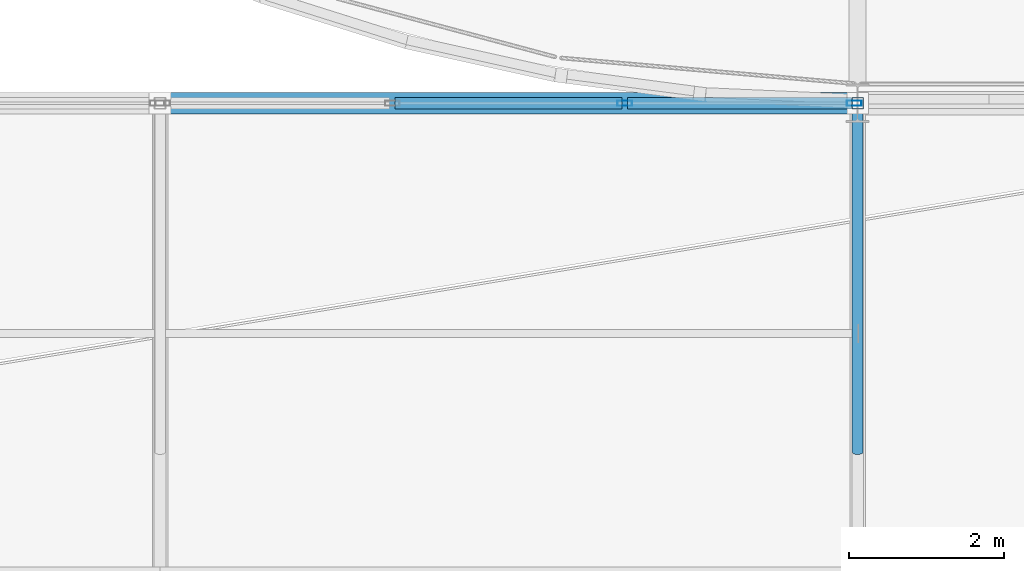
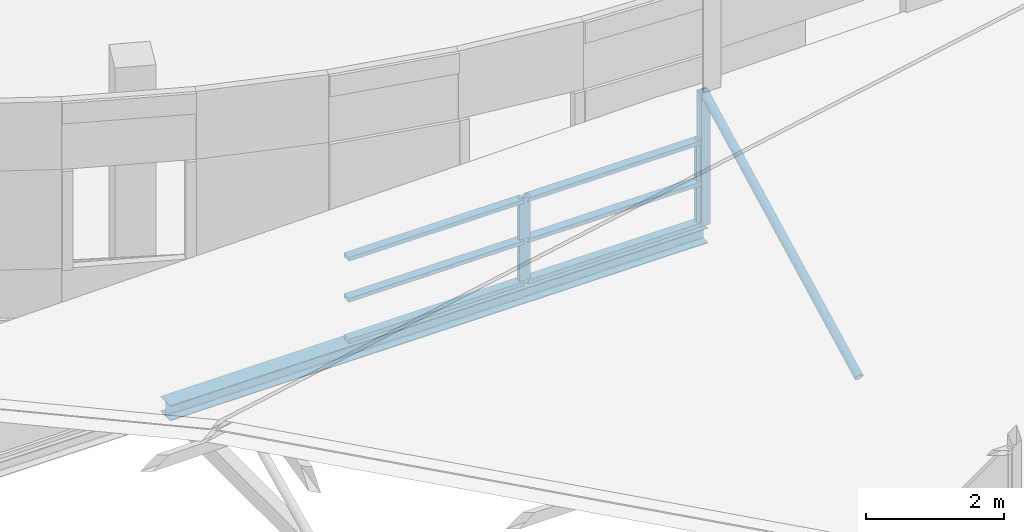
# One storey, part 34 of 103: 10 members, 1 beam, 1 element without a shape of its own.
"""IFC4 building model written with IfcOpenShell, lengths in metres."""

from ifc_helpers import new_model, si_unit, direction, frame, origin, origin_2d, place, context, subcontext, project, spatial, hollow_rectangle, hollow_circle, i_section, extrude, material, layer, layer_set, material_profile, profile_set, type_object, element, aggregate, save


model = new_model("IFC4")

# Units and contexts
model_context = context("Model", 3, precision=1e-05, world=origin(), true_north=direction((0.0, 1.0)))
body_context = subcontext(model_context, "Body", "Model", "MODEL_VIEW")
ifc_project = project(units=[si_unit("LENGTHUNIT", "METRE"), si_unit("AREAUNIT", "SQUARE_METRE"), si_unit("VOLUMEUNIT", "CUBIC_METRE"), si_unit("PLANEANGLEUNIT", "RADIAN"), si_unit("MASSUNIT", "GRAM", prefix="KILO")], contexts=[model_context])

# Site, building, storey
site_placement = place(None, origin())
site = spatial("IfcSite", under=ifc_project, at=site_placement, CompositionType="ELEMENT")
building_placement = place(site_placement, origin())
building = spatial("IfcBuilding", under=site, at=building_placement, Name="Deido Ridge Mobility Hub", CompositionType="ELEMENT")
storey_placement = place(building_placement, frame((0.0, 0.0, 12.60009765625)))
storey = spatial("IfcBuildingStorey", under=building, at=storey_placement, Name="L03", CompositionType="ELEMENT", Elevation=12.60009765625)

# Curtain wall, members
ifc_material_1 = material(Name="Anodised aluminium EN AW-6063 T6", Category="aluminium")
ifc_layer = layer(ifc_material_1, 0.14404296875, Name="Anodised aluminium EN AW-6063 T6")
ifc_layer_set = layer_set([ifc_layer], Name="Anodised aluminium EN AW-6063 T6")
curtain_wall_type = type_object("IfcCurtainWallType", Name="CW-GS-2", PredefinedType="USERDEFINED", material=ifc_layer_set)
curtain_wall_placement = place(storey_placement, origin())
curtain_wall = element("IfcCurtainWall", 1, at=curtain_wall_placement, inside=storey, type_object=curtain_wall_type, Name="Unitised curtain wall GS2", ObjectType="GLAZED SCREEN", PredefinedType="USERDEFINED")
ifc_material_profile_1 = material_profile(ifc_material_1, hollow_rectangle(XDim=0.070068359375, YDim=0.18994140625, WallThickness=0.00390625, at=origin_2d()), Name="RHS 70x190x4")
ifc_profile_set_1 = profile_set([ifc_material_profile_1], Name="Anodised aluminium EN AW-6063 T6")
member_type_1 = type_object("IfcMemberType", Name="MEM-MUL-70X190", PredefinedType="MULLION", material=ifc_profile_set_1)
member_1_placement = place(storey_placement, frame((41.9951171875, 81.0, 0.0), z_axis=(0.0, 0.0, 1.0), x_axis=(0.0, 1.0, 0.0)))
member_1 = element("IfcMember", 2, at=member_1_placement, type_object=member_type_1, Name="GS2 mullion 3", PredefinedType="MULLION", context=body_context, shape_type="SweptSolid", body=[
    extrude(hollow_rectangle(XDim=0.070068359375, YDim=0.18994140625, WallThickness=0.00390625, at=origin_2d()), origin(), (0.0, 0.0, 1.0), 1.52001953125),
])
member_2_placement = place(storey_placement, frame((44.957763671875, 81.0, 0.0), z_axis=(0.0, 0.0, 1.0), x_axis=(0.0, 1.0, 0.0)))
member_2 = element("IfcMember", 3, at=member_2_placement, type_object=member_type_1, Name="GS2 mullion 4", PredefinedType="MULLION", context=body_context, shape_type="SweptSolid", body=[
    extrude(hollow_rectangle(XDim=0.070068359375, YDim=0.18994140625, WallThickness=0.00390625, at=origin_2d()), origin(), (0.0, 0.0, 1.0), 1.52001953125),
])

# Members
ifc_material_2 = material(Name="Steel S355J2H EN 10210-1", Category="steel")
ifc_material_profile_2 = material_profile(ifc_material_2, hollow_rectangle(XDim=0.14990234375, YDim=0.14990234375, WallThickness=0.008056640625, at=origin_2d()), Name="SHS 150x150x8")
ifc_profile_set_2 = profile_set([ifc_material_profile_2], Name="Steel S355J2H EN 10210-1")
member_type_2 = type_object("IfcMemberType", Name="MEM-PST-SHS150", PredefinedType="POST", material=ifc_profile_set_2)
member_3_placement = place(storey_placement, frame((45.0, 81.0, 0.0), z_axis=(0.0, 0.0, 1.0), x_axis=(1.0, 0.0, 0.0)))
element("IfcMember", 4, at=member_3_placement, inside=storey, type_object=member_type_2, Name="Sawtooth clerestory post PS1", PredefinedType="POST", context=body_context, shape_type="SweptSolid", body=[
    extrude(hollow_rectangle(XDim=0.14990234375, YDim=0.14990234375, WallThickness=0.008056640625, at=origin_2d()), origin(), (0.0, 0.0, 1.0), 2.329833984375),
])
ifc_material_profile_3 = material_profile(ifc_material_2, hollow_circle(Radius=0.06982421875, WallThickness=0.00634765625, at=origin_2d()), Name="CHS 139.7x6.3")
ifc_profile_set_3 = profile_set([ifc_material_profile_3], Name="Steel S355J2H EN 10210-1")
member_type_3 = type_object("IfcMemberType", Name="MEM-STR-CHS140", PredefinedType="STRUT", material=ifc_profile_set_3)
member_4_placement = place(storey_placement, frame((45.0, 76.5, 0.0), z_axis=(0.0, 0.888036563744, 0.459772836795), x_axis=(-1.0, 0.0, 0.0)))
element("IfcMember", 5, at=member_4_placement, inside=storey, type_object=member_type_3, Name="Sawtooth web strut SR2", PredefinedType="STRUT", context=body_context, shape_type="SweptSolid", body=[
    extrude(hollow_circle(Radius=0.06982421875, WallThickness=0.00634765625, at=origin_2d()), origin(), (0.0, 0.0, 1.0), 5.0673828125),
])

# Member
ifc_material_profile_4 = material_profile(ifc_material_1, hollow_rectangle(XDim=0.14501953125, YDim=0.070068359375, WallThickness=0.00390625, at=origin_2d()), Name="RHS 145x70x4")
ifc_profile_set_4 = profile_set([ifc_material_profile_4], Name="Anodised aluminium EN AW-6063 T6")
member_type_4 = type_object("IfcMemberType", Name="MEM-TRN-145X70", PredefinedType="USERDEFINED", material=ifc_profile_set_4)
member_5_placement = place(storey_placement, frame((39.03271484375, 81.0, 0.034912109375), z_axis=(1.0, 0.0, 0.0), x_axis=(0.0, 1.0, 0.0)))
member_5 = element("IfcMember", 6, at=member_5_placement, type_object=member_type_4, Name="GS2 transom 2.1", ObjectType="TRANSOM", PredefinedType="USERDEFINED", context=body_context, shape_type="SweptSolid", body=[
    extrude(hollow_rectangle(XDim=0.14501953125, YDim=0.070068359375, WallThickness=0.00390625, at=origin_2d()), origin(), (0.0, 0.0, 1.0), 2.927490234375),
])

member_6_placement = place(storey_placement, frame((39.03271484375, 81.0, 0.760009765625), z_axis=(1.0, 0.0, 0.0), x_axis=(0.0, 1.0, 0.0)))
member_6 = element("IfcMember", 7, at=member_6_placement, type_object=member_type_4, Name="GS2 transom 2.2", ObjectType="TRANSOM", PredefinedType="USERDEFINED", context=body_context, shape_type="SweptSolid", body=[
    extrude(hollow_rectangle(XDim=0.14501953125, YDim=0.070068359375, WallThickness=0.00390625, at=origin_2d()), origin(), (0.0, 0.0, 1.0), 2.927490234375),
])

member_7_placement = place(storey_placement, frame((39.03271484375, 81.0, 1.48486328125), z_axis=(1.0, 0.0, 0.0), x_axis=(0.0, 1.0, 0.0)))
member_7 = element("IfcMember", 8, at=member_7_placement, type_object=member_type_4, Name="GS2 transom 2.3", ObjectType="TRANSOM", PredefinedType="USERDEFINED", context=body_context, shape_type="SweptSolid", body=[
    extrude(hollow_rectangle(XDim=0.14501953125, YDim=0.070068359375, WallThickness=0.00390625, at=origin_2d()), origin(), (0.0, 0.0, 1.0), 2.927490234375),
])

member_8_placement = place(storey_placement, frame((42.0302734375, 81.0, 0.034912109375), z_axis=(1.0, 0.0, 0.0), x_axis=(0.0, 1.0, 0.0)))
member_8 = element("IfcMember", 9, at=member_8_placement, type_object=member_type_4, Name="GS2 transom 3.1", ObjectType="TRANSOM", PredefinedType="USERDEFINED", context=body_context, shape_type="SweptSolid", body=[
    extrude(hollow_rectangle(XDim=0.14501953125, YDim=0.070068359375, WallThickness=0.00390625, at=origin_2d()), origin(), (0.0, 0.0, 1.0), 2.892578125),
])

member_9_placement = place(storey_placement, frame((42.0302734375, 81.0, 0.760009765625), z_axis=(1.0, 0.0, 0.0), x_axis=(0.0, 1.0, 0.0)))
member_9 = element("IfcMember", 10, at=member_9_placement, type_object=member_type_4, Name="GS2 transom 3.2", ObjectType="TRANSOM", PredefinedType="USERDEFINED", context=body_context, shape_type="SweptSolid", body=[
    extrude(hollow_rectangle(XDim=0.14501953125, YDim=0.070068359375, WallThickness=0.00390625, at=origin_2d()), origin(), (0.0, 0.0, 1.0), 2.892578125),
])

member_10_placement = place(storey_placement, frame((42.0302734375, 81.0, 1.48486328125), z_axis=(1.0, 0.0, 0.0), x_axis=(0.0, 1.0, 0.0)))
member_10 = element("IfcMember", 11, at=member_10_placement, type_object=member_type_4, Name="GS2 transom 3.3", ObjectType="TRANSOM", PredefinedType="USERDEFINED", context=body_context, shape_type="SweptSolid", body=[
    extrude(hollow_rectangle(XDim=0.14501953125, YDim=0.070068359375, WallThickness=0.00390625, at=origin_2d()), origin(), (0.0, 0.0, 1.0), 2.892578125),
])

aggregate(curtain_wall, [member_1, member_2, member_5, member_6, member_7, member_8, member_9, member_10])

# Beam
ifc_material_3 = material(Name="Steel S355J2 EN 10025-2", Category="steel")
ifc_material_profile_5 = material_profile(ifc_material_3, i_section(OverallWidth=0.280029296875, OverallDepth=0.27001953125, WebThickness=0.008056640625, FlangeThickness=0.012939453125, FilletRadius=0.02392578125, at=origin_2d()), Name="HEA 280")
ifc_profile_set_5 = profile_set([ifc_material_profile_5], Name="Steel S355J2 EN 10025-2")
beam_type = type_object("IfcBeamType", Name="SPD-HEA280", PredefinedType="SPANDREL", material=ifc_profile_set_5)
beam_placement = place(storey_placement, frame((36.007080078125, 81.0, -0.135009765625), z_axis=(1.0, 0.0, 0.0), x_axis=(0.0, 1.0, 0.0)))
element("IfcBeam", 12, at=beam_placement, inside=storey, type_object=beam_type, Name="Sawtooth eave beam SP2", PredefinedType="SPANDREL", context=body_context, shape_type="SweptSolid", body=[
    extrude(i_section(OverallWidth=0.280029296875, OverallDepth=0.27001953125, WebThickness=0.008056640625, FlangeThickness=0.012939453125, FilletRadius=0.02392578125, at=origin_2d()), origin(), (0.0, 0.0, 1.0), 8.98583984375),
])

save(model, "model.ifc")
